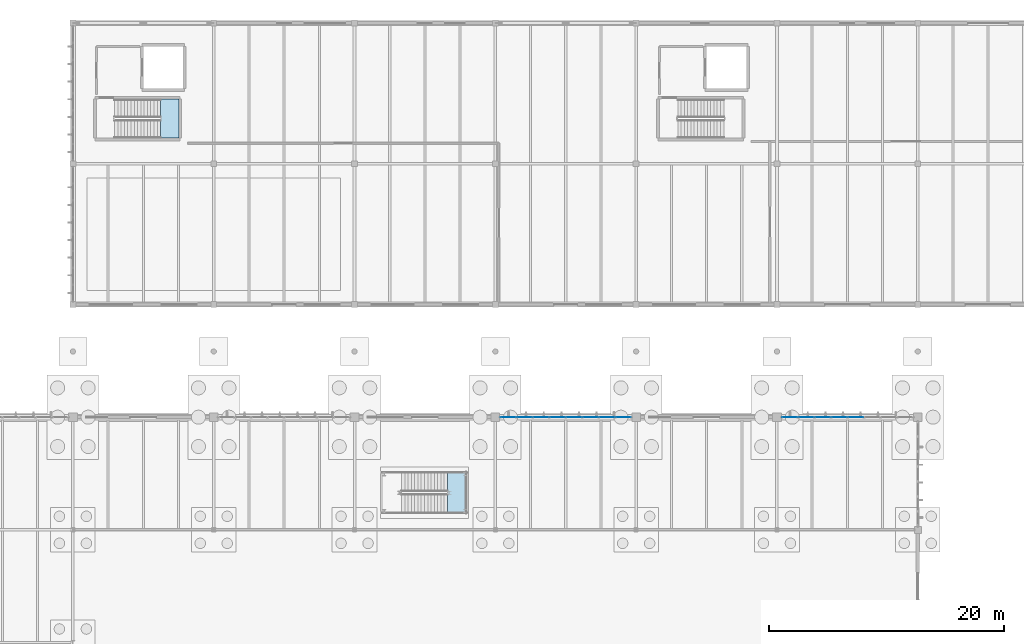
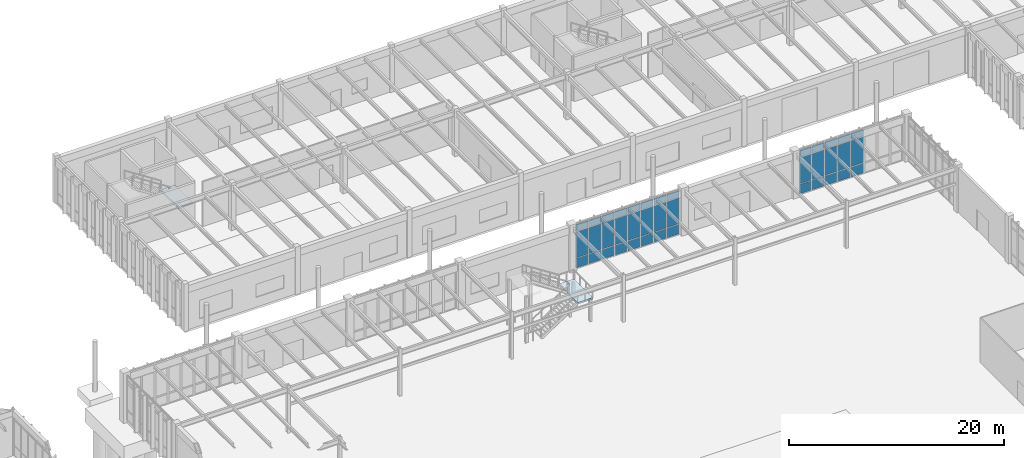
# One storey, part 138 of 188: 39 plates, 2 slabs, 4 elements without a shape of their own.
"""IFC4 building model written with IfcOpenShell, lengths in metres."""

from ifc_helpers import new_model, si_unit, direction, frame, origin, origin_2d, place, context, subcontext, project, spatial, polyline, rectangle, outline, extrude, material, layer, layer_set, type_object, element, aggregate, save


model = new_model("IFC4")

# Units and contexts
model_context = context("Model", 3, precision=1e-05, world=origin(), true_north=direction((0.0, 1.0)))
body_context = subcontext(model_context, "Body", "Model", "MODEL_VIEW")
ifc_project = project(units=[si_unit("LENGTHUNIT", "METRE"), si_unit("AREAUNIT", "SQUARE_METRE"), si_unit("VOLUMEUNIT", "CUBIC_METRE"), si_unit("PLANEANGLEUNIT", "RADIAN"), si_unit("MASSUNIT", "GRAM", prefix="KILO")], contexts=[model_context])

# Site, building, storey
site_placement = place(None, origin())
site = spatial("IfcSite", under=ifc_project, at=site_placement, CompositionType="ELEMENT")
building_placement = place(site_placement, origin())
building = spatial("IfcBuilding", under=site, at=building_placement, Name="Pandanus Reach Market Hall", CompositionType="ELEMENT")
storey_placement = place(building_placement, origin())
storey = spatial("IfcBuildingStorey", under=building, at=storey_placement, Name="L00", CompositionType="ELEMENT", Elevation=0.0)

# Curtain wall, plates
ifc_material_1 = material(Name="Bronze anodised aluminium and low-E glass", Category="aluminium")
ifc_layer_1 = layer(ifc_material_1, 0.199951171875, Name="CW-01")
ifc_layer_set_1 = layer_set([ifc_layer_1], Name="Bronze anodised aluminium and low-E glass")
curtain_wall_type = type_object("IfcCurtainWallType", Name="CW-01", PredefinedType="NOTDEFINED", material=ifc_layer_set_1)
curtain_wall_1_placement = place(storey_placement, origin())
curtain_wall_1 = element("IfcCurtainWall", 1, at=curtain_wall_1_placement, inside=storey, type_object=curtain_wall_type, Name="Glazed curtain wall CW-01 CW-0014", PredefinedType="NOTDEFINED")
ifc_material_2 = material(Name="Acoustic laminated solar double glazing", Category="glass")
ifc_layer_2 = layer(ifc_material_2, 0.031982421875, Name="CW-P2")
ifc_layer_set_2 = layer_set([ifc_layer_2], Name="Acoustic laminated solar double glazing")
plate_type = type_object("IfcPlateType", Name="CW-P2", PredefinedType="CURTAIN_PANEL", material=ifc_layer_set_2)
plate_1_placement = place(storey_placement, frame((97.096923828125, 86.39990234375, 0.074951171875), z_axis=(0.0, 0.0, 1.0), x_axis=(1.0, 0.0, 0.0)))
plate_1 = element("IfcPlate", 2, at=plate_1_placement, type_object=plate_type, Name="CW-01 panel 1.1", PredefinedType="CURTAIN_PANEL", context=body_context, shape_type="SweptSolid", body=[
    extrude(rectangle(XDim=1.293701171875, YDim=0.031982421875, at=origin_2d()), origin(), (0.0, 0.0, 1.0), 1.08740234375),
])
plate_2_placement = place(storey_placement, frame((97.096923828125, 86.39990234375, 1.2373046875), z_axis=(0.0, 0.0, 1.0), x_axis=(1.0, 0.0, 0.0)))
plate_2 = element("IfcPlate", 3, at=plate_2_placement, type_object=plate_type, Name="CW-01 panel 1.2", PredefinedType="CURTAIN_PANEL", context=body_context, shape_type="SweptSolid", body=[
    extrude(rectangle(XDim=1.293701171875, YDim=0.031982421875, at=origin_2d()), origin(), (0.0, 0.0, 1.0), 2.925048828125),
])
plate_3_placement = place(storey_placement, frame((97.096923828125, 86.39990234375, 4.237548828125), z_axis=(0.0, 0.0, 1.0), x_axis=(1.0, 0.0, 0.0)))
plate_3 = element("IfcPlate", 4, at=plate_3_placement, type_object=plate_type, Name="CW-01 panel 1.3", PredefinedType="CURTAIN_PANEL", context=body_context, shape_type="SweptSolid", body=[
    extrude(rectangle(XDim=1.293701171875, YDim=0.031982421875, at=origin_2d()), origin(), (0.0, 0.0, 1.0), 0.78759765625),
])
plate_4_placement = place(storey_placement, frame((98.484375, 86.39990234375, 0.074951171875), z_axis=(0.0, 0.0, 1.0), x_axis=(1.0, 0.0, 0.0)))
plate_4 = element("IfcPlate", 5, at=plate_4_placement, type_object=plate_type, Name="CW-01 panel 2.1", PredefinedType="CURTAIN_PANEL", context=body_context, shape_type="SweptSolid", body=[
    extrude(rectangle(XDim=1.331298828125, YDim=0.031982421875, at=origin_2d()), origin(), (0.0, 0.0, 1.0), 1.08740234375),
])
plate_5_placement = place(storey_placement, frame((98.484375, 86.39990234375, 1.2373046875), z_axis=(0.0, 0.0, 1.0), x_axis=(1.0, 0.0, 0.0)))
plate_5 = element("IfcPlate", 6, at=plate_5_placement, type_object=plate_type, Name="CW-01 panel 2.2", PredefinedType="CURTAIN_PANEL", context=body_context, shape_type="SweptSolid", body=[
    extrude(rectangle(XDim=1.331298828125, YDim=0.031982421875, at=origin_2d()), origin(), (0.0, 0.0, 1.0), 2.925048828125),
])
plate_6_placement = place(storey_placement, frame((98.484375, 86.39990234375, 4.237548828125), z_axis=(0.0, 0.0, 1.0), x_axis=(1.0, 0.0, 0.0)))
plate_6 = element("IfcPlate", 7, at=plate_6_placement, type_object=plate_type, Name="CW-01 panel 2.3", PredefinedType="CURTAIN_PANEL", context=body_context, shape_type="SweptSolid", body=[
    extrude(rectangle(XDim=1.331298828125, YDim=0.031982421875, at=origin_2d()), origin(), (0.0, 0.0, 1.0), 0.78759765625),
])
plate_7_placement = place(storey_placement, frame((99.890625, 86.39990234375, 0.074951171875), z_axis=(0.0, 0.0, 1.0), x_axis=(1.0, 0.0, 0.0)))
plate_7 = element("IfcPlate", 8, at=plate_7_placement, type_object=plate_type, Name="CW-01 panel 3.1", PredefinedType="CURTAIN_PANEL", context=body_context, shape_type="SweptSolid", body=[
    extrude(rectangle(XDim=1.331298828125, YDim=0.031982421875, at=origin_2d()), origin(), (0.0, 0.0, 1.0), 1.08740234375),
])
plate_8_placement = place(storey_placement, frame((99.890625, 86.39990234375, 1.2373046875), z_axis=(0.0, 0.0, 1.0), x_axis=(1.0, 0.0, 0.0)))
plate_8 = element("IfcPlate", 9, at=plate_8_placement, type_object=plate_type, Name="CW-01 panel 3.2", PredefinedType="CURTAIN_PANEL", context=body_context, shape_type="SweptSolid", body=[
    extrude(rectangle(XDim=1.331298828125, YDim=0.031982421875, at=origin_2d()), origin(), (0.0, 0.0, 1.0), 2.925048828125),
])
plate_9_placement = place(storey_placement, frame((99.890625, 86.39990234375, 4.237548828125), z_axis=(0.0, 0.0, 1.0), x_axis=(1.0, 0.0, 0.0)))
plate_9 = element("IfcPlate", 10, at=plate_9_placement, type_object=plate_type, Name="CW-01 panel 3.3", PredefinedType="CURTAIN_PANEL", context=body_context, shape_type="SweptSolid", body=[
    extrude(rectangle(XDim=1.331298828125, YDim=0.031982421875, at=origin_2d()), origin(), (0.0, 0.0, 1.0), 0.78759765625),
])
plate_10_placement = place(storey_placement, frame((101.296875, 86.39990234375, 0.074951171875), z_axis=(0.0, 0.0, 1.0), x_axis=(1.0, 0.0, 0.0)))
plate_10 = element("IfcPlate", 11, at=plate_10_placement, type_object=plate_type, Name="CW-01 panel 4.1", PredefinedType="CURTAIN_PANEL", context=body_context, shape_type="SweptSolid", body=[
    extrude(rectangle(XDim=1.331298828125, YDim=0.031982421875, at=origin_2d()), origin(), (0.0, 0.0, 1.0), 1.08740234375),
])
plate_11_placement = place(storey_placement, frame((101.296875, 86.39990234375, 1.2373046875), z_axis=(0.0, 0.0, 1.0), x_axis=(1.0, 0.0, 0.0)))
plate_11 = element("IfcPlate", 12, at=plate_11_placement, type_object=plate_type, Name="CW-01 panel 4.2", PredefinedType="CURTAIN_PANEL", context=body_context, shape_type="SweptSolid", body=[
    extrude(rectangle(XDim=1.331298828125, YDim=0.031982421875, at=origin_2d()), origin(), (0.0, 0.0, 1.0), 2.925048828125),
])
plate_12_placement = place(storey_placement, frame((101.296875, 86.39990234375, 4.237548828125), z_axis=(0.0, 0.0, 1.0), x_axis=(1.0, 0.0, 0.0)))
plate_12 = element("IfcPlate", 13, at=plate_12_placement, type_object=plate_type, Name="CW-01 panel 4.3", PredefinedType="CURTAIN_PANEL", context=body_context, shape_type="SweptSolid", body=[
    extrude(rectangle(XDim=1.331298828125, YDim=0.031982421875, at=origin_2d()), origin(), (0.0, 0.0, 1.0), 0.78759765625),
])
plate_13_placement = place(storey_placement, frame((102.703125, 86.39990234375, 0.074951171875), z_axis=(0.0, 0.0, 1.0), x_axis=(1.0, 0.0, 0.0)))
plate_13 = element("IfcPlate", 14, at=plate_13_placement, type_object=plate_type, Name="CW-01 panel 5.1", PredefinedType="CURTAIN_PANEL", context=body_context, shape_type="SweptSolid", body=[
    extrude(rectangle(XDim=1.331298828125, YDim=0.031982421875, at=origin_2d()), origin(), (0.0, 0.0, 1.0), 1.08740234375),
])
plate_14_placement = place(storey_placement, frame((102.703125, 86.39990234375, 1.2373046875), z_axis=(0.0, 0.0, 1.0), x_axis=(1.0, 0.0, 0.0)))
plate_14 = element("IfcPlate", 15, at=plate_14_placement, type_object=plate_type, Name="CW-01 panel 5.2", PredefinedType="CURTAIN_PANEL", context=body_context, shape_type="SweptSolid", body=[
    extrude(rectangle(XDim=1.331298828125, YDim=0.031982421875, at=origin_2d()), origin(), (0.0, 0.0, 1.0), 2.925048828125),
])
plate_15_placement = place(storey_placement, frame((102.703125, 86.39990234375, 4.237548828125), z_axis=(0.0, 0.0, 1.0), x_axis=(1.0, 0.0, 0.0)))
plate_15 = element("IfcPlate", 16, at=plate_15_placement, type_object=plate_type, Name="CW-01 panel 5.3", PredefinedType="CURTAIN_PANEL", context=body_context, shape_type="SweptSolid", body=[
    extrude(rectangle(XDim=1.331298828125, YDim=0.031982421875, at=origin_2d()), origin(), (0.0, 0.0, 1.0), 0.78759765625),
])
plate_16_placement = place(storey_placement, frame((104.109375, 86.39990234375, 0.074951171875), z_axis=(0.0, 0.0, 1.0), x_axis=(1.0, 0.0, 0.0)))
plate_16 = element("IfcPlate", 17, at=plate_16_placement, type_object=plate_type, Name="CW-01 panel 6.1", PredefinedType="CURTAIN_PANEL", context=body_context, shape_type="SweptSolid", body=[
    extrude(rectangle(XDim=1.331298828125, YDim=0.031982421875, at=origin_2d()), origin(), (0.0, 0.0, 1.0), 1.08740234375),
])
plate_17_placement = place(storey_placement, frame((104.109375, 86.39990234375, 1.2373046875), z_axis=(0.0, 0.0, 1.0), x_axis=(1.0, 0.0, 0.0)))
plate_17 = element("IfcPlate", 18, at=plate_17_placement, type_object=plate_type, Name="CW-01 panel 6.2", PredefinedType="CURTAIN_PANEL", context=body_context, shape_type="SweptSolid", body=[
    extrude(rectangle(XDim=1.331298828125, YDim=0.031982421875, at=origin_2d()), origin(), (0.0, 0.0, 1.0), 2.925048828125),
])
plate_18_placement = place(storey_placement, frame((104.109375, 86.39990234375, 4.237548828125), z_axis=(0.0, 0.0, 1.0), x_axis=(1.0, 0.0, 0.0)))
plate_18 = element("IfcPlate", 19, at=plate_18_placement, type_object=plate_type, Name="CW-01 panel 6.3", PredefinedType="CURTAIN_PANEL", context=body_context, shape_type="SweptSolid", body=[
    extrude(rectangle(XDim=1.331298828125, YDim=0.031982421875, at=origin_2d()), origin(), (0.0, 0.0, 1.0), 0.78759765625),
])
plate_19_placement = place(storey_placement, frame((105.515625, 86.39990234375, 0.074951171875), z_axis=(0.0, 0.0, 1.0), x_axis=(1.0, 0.0, 0.0)))
plate_19 = element("IfcPlate", 20, at=plate_19_placement, type_object=plate_type, Name="CW-01 panel 7.1", PredefinedType="CURTAIN_PANEL", context=body_context, shape_type="SweptSolid", body=[
    extrude(rectangle(XDim=1.331298828125, YDim=0.031982421875, at=origin_2d()), origin(), (0.0, 0.0, 1.0), 1.08740234375),
])
plate_20_placement = place(storey_placement, frame((105.515625, 86.39990234375, 1.2373046875), z_axis=(0.0, 0.0, 1.0), x_axis=(1.0, 0.0, 0.0)))
plate_20 = element("IfcPlate", 21, at=plate_20_placement, type_object=plate_type, Name="CW-01 panel 7.2", PredefinedType="CURTAIN_PANEL", context=body_context, shape_type="SweptSolid", body=[
    extrude(rectangle(XDim=1.331298828125, YDim=0.031982421875, at=origin_2d()), origin(), (0.0, 0.0, 1.0), 2.925048828125),
])
plate_21_placement = place(storey_placement, frame((105.515625, 86.39990234375, 4.237548828125), z_axis=(0.0, 0.0, 1.0), x_axis=(1.0, 0.0, 0.0)))
plate_21 = element("IfcPlate", 22, at=plate_21_placement, type_object=plate_type, Name="CW-01 panel 7.3", PredefinedType="CURTAIN_PANEL", context=body_context, shape_type="SweptSolid", body=[
    extrude(rectangle(XDim=1.331298828125, YDim=0.031982421875, at=origin_2d()), origin(), (0.0, 0.0, 1.0), 0.78759765625),
])
plate_22_placement = place(storey_placement, frame((106.903076171875, 86.39990234375, 0.074951171875), z_axis=(0.0, 0.0, 1.0), x_axis=(1.0, 0.0, 0.0)))
plate_22 = element("IfcPlate", 23, at=plate_22_placement, type_object=plate_type, Name="CW-01 panel 8.1", PredefinedType="CURTAIN_PANEL", context=body_context, shape_type="SweptSolid", body=[
    extrude(rectangle(XDim=1.293701171875, YDim=0.031982421875, at=origin_2d()), origin(), (0.0, 0.0, 1.0), 1.08740234375),
])
plate_23_placement = place(storey_placement, frame((106.903076171875, 86.39990234375, 1.2373046875), z_axis=(0.0, 0.0, 1.0), x_axis=(1.0, 0.0, 0.0)))
plate_23 = element("IfcPlate", 24, at=plate_23_placement, type_object=plate_type, Name="CW-01 panel 8.2", PredefinedType="CURTAIN_PANEL", context=body_context, shape_type="SweptSolid", body=[
    extrude(rectangle(XDim=1.293701171875, YDim=0.031982421875, at=origin_2d()), origin(), (0.0, 0.0, 1.0), 2.925048828125),
])
plate_24_placement = place(storey_placement, frame((106.903076171875, 86.39990234375, 4.237548828125), z_axis=(0.0, 0.0, 1.0), x_axis=(1.0, 0.0, 0.0)))
plate_24 = element("IfcPlate", 25, at=plate_24_placement, type_object=plate_type, Name="CW-01 panel 8.3", PredefinedType="CURTAIN_PANEL", context=body_context, shape_type="SweptSolid", body=[
    extrude(rectangle(XDim=1.293701171875, YDim=0.031982421875, at=origin_2d()), origin(), (0.0, 0.0, 1.0), 0.78759765625),
])
aggregate(curtain_wall_1, [plate_1, plate_2, plate_3, plate_4, plate_5, plate_6, plate_7, plate_8, plate_9, plate_10, plate_11, plate_12, plate_13, plate_14, plate_15, plate_16, plate_17, plate_18, plate_19, plate_20, plate_21, plate_22, plate_23, plate_24])

curtain_wall_2_placement = place(storey_placement, origin())
curtain_wall_2 = element("IfcCurtainWall", 26, at=curtain_wall_2_placement, inside=storey, type_object=curtain_wall_type, Name="Glazed curtain wall CW-01 CW-0017", PredefinedType="NOTDEFINED")
plate_25_placement = place(storey_placement, frame((121.096923828125, 86.39990234375, 0.074951171875), z_axis=(0.0, 0.0, 1.0), x_axis=(1.0, 0.0, 0.0)))
plate_25 = element("IfcPlate", 27, at=plate_25_placement, type_object=plate_type, Name="CW-01 panel 1.1", PredefinedType="CURTAIN_PANEL", context=body_context, shape_type="SweptSolid", body=[
    extrude(rectangle(XDim=1.293701171875, YDim=0.031982421875, at=origin_2d()), origin(), (0.0, 0.0, 1.0), 1.08740234375),
])
plate_26_placement = place(storey_placement, frame((121.096923828125, 86.39990234375, 1.2373046875), z_axis=(0.0, 0.0, 1.0), x_axis=(1.0, 0.0, 0.0)))
plate_26 = element("IfcPlate", 28, at=plate_26_placement, type_object=plate_type, Name="CW-01 panel 1.2", PredefinedType="CURTAIN_PANEL", context=body_context, shape_type="SweptSolid", body=[
    extrude(rectangle(XDim=1.293701171875, YDim=0.031982421875, at=origin_2d()), origin(), (0.0, 0.0, 1.0), 2.925048828125),
])
plate_27_placement = place(storey_placement, frame((121.096923828125, 86.39990234375, 4.237548828125), z_axis=(0.0, 0.0, 1.0), x_axis=(1.0, 0.0, 0.0)))
plate_27 = element("IfcPlate", 29, at=plate_27_placement, type_object=plate_type, Name="CW-01 panel 1.3", PredefinedType="CURTAIN_PANEL", context=body_context, shape_type="SweptSolid", body=[
    extrude(rectangle(XDim=1.293701171875, YDim=0.031982421875, at=origin_2d()), origin(), (0.0, 0.0, 1.0), 0.78759765625),
])
plate_28_placement = place(storey_placement, frame((122.484375, 86.39990234375, 0.074951171875), z_axis=(0.0, 0.0, 1.0), x_axis=(1.0, 0.0, 0.0)))
plate_28 = element("IfcPlate", 30, at=plate_28_placement, type_object=plate_type, Name="CW-01 panel 2.1", PredefinedType="CURTAIN_PANEL", context=body_context, shape_type="SweptSolid", body=[
    extrude(rectangle(XDim=1.331298828125, YDim=0.031982421875, at=origin_2d()), origin(), (0.0, 0.0, 1.0), 1.08740234375),
])
plate_29_placement = place(storey_placement, frame((122.484375, 86.39990234375, 1.2373046875), z_axis=(0.0, 0.0, 1.0), x_axis=(1.0, 0.0, 0.0)))
plate_29 = element("IfcPlate", 31, at=plate_29_placement, type_object=plate_type, Name="CW-01 panel 2.2", PredefinedType="CURTAIN_PANEL", context=body_context, shape_type="SweptSolid", body=[
    extrude(rectangle(XDim=1.331298828125, YDim=0.031982421875, at=origin_2d()), origin(), (0.0, 0.0, 1.0), 2.925048828125),
])
plate_30_placement = place(storey_placement, frame((122.484375, 86.39990234375, 4.237548828125), z_axis=(0.0, 0.0, 1.0), x_axis=(1.0, 0.0, 0.0)))
plate_30 = element("IfcPlate", 32, at=plate_30_placement, type_object=plate_type, Name="CW-01 panel 2.3", PredefinedType="CURTAIN_PANEL", context=body_context, shape_type="SweptSolid", body=[
    extrude(rectangle(XDim=1.331298828125, YDim=0.031982421875, at=origin_2d()), origin(), (0.0, 0.0, 1.0), 0.78759765625),
])
plate_31_placement = place(storey_placement, frame((123.890625, 86.39990234375, 0.074951171875), z_axis=(0.0, 0.0, 1.0), x_axis=(1.0, 0.0, 0.0)))
plate_31 = element("IfcPlate", 33, at=plate_31_placement, type_object=plate_type, Name="CW-01 panel 3.1", PredefinedType="CURTAIN_PANEL", context=body_context, shape_type="SweptSolid", body=[
    extrude(rectangle(XDim=1.331298828125, YDim=0.031982421875, at=origin_2d()), origin(), (0.0, 0.0, 1.0), 1.08740234375),
])
plate_32_placement = place(storey_placement, frame((123.890625, 86.39990234375, 1.2373046875), z_axis=(0.0, 0.0, 1.0), x_axis=(1.0, 0.0, 0.0)))
plate_32 = element("IfcPlate", 34, at=plate_32_placement, type_object=plate_type, Name="CW-01 panel 3.2", PredefinedType="CURTAIN_PANEL", context=body_context, shape_type="SweptSolid", body=[
    extrude(rectangle(XDim=1.331298828125, YDim=0.031982421875, at=origin_2d()), origin(), (0.0, 0.0, 1.0), 2.925048828125),
])
plate_33_placement = place(storey_placement, frame((123.890625, 86.39990234375, 4.237548828125), z_axis=(0.0, 0.0, 1.0), x_axis=(1.0, 0.0, 0.0)))
plate_33 = element("IfcPlate", 35, at=plate_33_placement, type_object=plate_type, Name="CW-01 panel 3.3", PredefinedType="CURTAIN_PANEL", context=body_context, shape_type="SweptSolid", body=[
    extrude(rectangle(XDim=1.331298828125, YDim=0.031982421875, at=origin_2d()), origin(), (0.0, 0.0, 1.0), 0.78759765625),
])
plate_34_placement = place(storey_placement, frame((125.296875, 86.39990234375, 0.074951171875), z_axis=(0.0, 0.0, 1.0), x_axis=(1.0, 0.0, 0.0)))
plate_34 = element("IfcPlate", 36, at=plate_34_placement, type_object=plate_type, Name="CW-01 panel 4.1", PredefinedType="CURTAIN_PANEL", context=body_context, shape_type="SweptSolid", body=[
    extrude(rectangle(XDim=1.331298828125, YDim=0.031982421875, at=origin_2d()), origin(), (0.0, 0.0, 1.0), 1.08740234375),
])
plate_35_placement = place(storey_placement, frame((125.296875, 86.39990234375, 1.2373046875), z_axis=(0.0, 0.0, 1.0), x_axis=(1.0, 0.0, 0.0)))
plate_35 = element("IfcPlate", 37, at=plate_35_placement, type_object=plate_type, Name="CW-01 panel 4.2", PredefinedType="CURTAIN_PANEL", context=body_context, shape_type="SweptSolid", body=[
    extrude(rectangle(XDim=1.331298828125, YDim=0.031982421875, at=origin_2d()), origin(), (0.0, 0.0, 1.0), 2.925048828125),
])
plate_36_placement = place(storey_placement, frame((125.296875, 86.39990234375, 4.237548828125), z_axis=(0.0, 0.0, 1.0), x_axis=(1.0, 0.0, 0.0)))
plate_36 = element("IfcPlate", 38, at=plate_36_placement, type_object=plate_type, Name="CW-01 panel 4.3", PredefinedType="CURTAIN_PANEL", context=body_context, shape_type="SweptSolid", body=[
    extrude(rectangle(XDim=1.331298828125, YDim=0.031982421875, at=origin_2d()), origin(), (0.0, 0.0, 1.0), 0.78759765625),
])
plate_37_placement = place(storey_placement, frame((126.703125, 86.39990234375, 0.074951171875), z_axis=(0.0, 0.0, 1.0), x_axis=(1.0, 0.0, 0.0)))
plate_37 = element("IfcPlate", 39, at=plate_37_placement, type_object=plate_type, Name="CW-01 panel 5.1", PredefinedType="CURTAIN_PANEL", context=body_context, shape_type="SweptSolid", body=[
    extrude(rectangle(XDim=1.331298828125, YDim=0.031982421875, at=origin_2d()), origin(), (0.0, 0.0, 1.0), 1.08740234375),
])
plate_38_placement = place(storey_placement, frame((126.703125, 86.39990234375, 1.2373046875), z_axis=(0.0, 0.0, 1.0), x_axis=(1.0, 0.0, 0.0)))
plate_38 = element("IfcPlate", 40, at=plate_38_placement, type_object=plate_type, Name="CW-01 panel 5.2", PredefinedType="CURTAIN_PANEL", context=body_context, shape_type="SweptSolid", body=[
    extrude(rectangle(XDim=1.331298828125, YDim=0.031982421875, at=origin_2d()), origin(), (0.0, 0.0, 1.0), 2.925048828125),
])
plate_39_placement = place(storey_placement, frame((126.703125, 86.39990234375, 4.237548828125), z_axis=(0.0, 0.0, 1.0), x_axis=(1.0, 0.0, 0.0)))
plate_39 = element("IfcPlate", 41, at=plate_39_placement, type_object=plate_type, Name="CW-01 panel 5.3", PredefinedType="CURTAIN_PANEL", context=body_context, shape_type="SweptSolid", body=[
    extrude(rectangle(XDim=1.331298828125, YDim=0.031982421875, at=origin_2d()), origin(), (0.0, 0.0, 1.0), 0.78759765625),
])
aggregate(curtain_wall_2, [plate_25, plate_26, plate_27, plate_28, plate_29, plate_30, plate_31, plate_32, plate_33, plate_34, plate_35, plate_36, plate_37, plate_38, plate_39])

# Stair, slab
ifc_material_3 = material(Name="Concrete N40 (40 MPa)", Category="concrete")
stair_type_1 = type_object("IfcStairType", Name="STR-05", PredefinedType="HALF_TURN_STAIR", material=ifc_material_3)
stair_1_placement = place(storey_placement, origin())
stair_1 = element("IfcStair", 42, at=stair_1_placement, inside=storey, type_object=stair_type_1, Name="Stair ST-05 L00", PredefinedType="HALF_TURN_STAIR")
ifc_layer_3 = layer(ifc_material_3, 0.199951171875, Name="SL-LND-200")
ifc_layer_set_3 = layer_set([ifc_layer_3], Name="Concrete N40 (40 MPa)")
slab_type = type_object("IfcSlabType", Name="SL-LND-200", PredefinedType="LANDING", material=ifc_layer_set_3)
slab_1_placement = place(storey_placement, frame((0.0, 0.0, 2.5)))
slab_1 = element("IfcSlab", 43, at=slab_1_placement, type_object=slab_type, Name="STR-05 landing 1", PredefinedType="LANDING", context=body_context, shape_type="SweptSolid", body=[
    extrude(outline(polyline([(67.469970703125, 110.199951171875), (69.02001953125, 110.199951171875), (69.02001953125, 113.5), (67.469970703125, 113.5), (67.469970703125, 110.199951171875)])), origin(), (0.0, 0.0, 1.0), 0.199951171875),
])
aggregate(stair_1, [slab_1])

stair_type_2 = type_object("IfcStairType", Name="STR-08", PredefinedType="HALF_TURN_STAIR", material=ifc_material_3)
stair_2_placement = place(storey_placement, origin())
stair_2 = element("IfcStair", 44, at=stair_2_placement, inside=storey, type_object=stair_type_2, Name="Stair ST-09 L00", PredefinedType="HALF_TURN_STAIR")
slab_2_placement = place(storey_placement, frame((0.0, 0.0, 2.5)))
slab_2 = element("IfcSlab", 45, at=slab_2_placement, type_object=slab_type, Name="STR-08 landing 1", PredefinedType="LANDING", context=body_context, shape_type="SweptSolid", body=[
    extrude(outline(polyline([(91.919921875, 78.199951171875), (93.570068359375, 78.199951171875), (93.570068359375, 81.719970703125), (91.919921875, 81.719970703125), (91.919921875, 78.199951171875)])), origin(), (0.0, 0.0, 1.0), 0.199951171875),
])
aggregate(stair_2, [slab_2])

save(model, "model.ifc")
